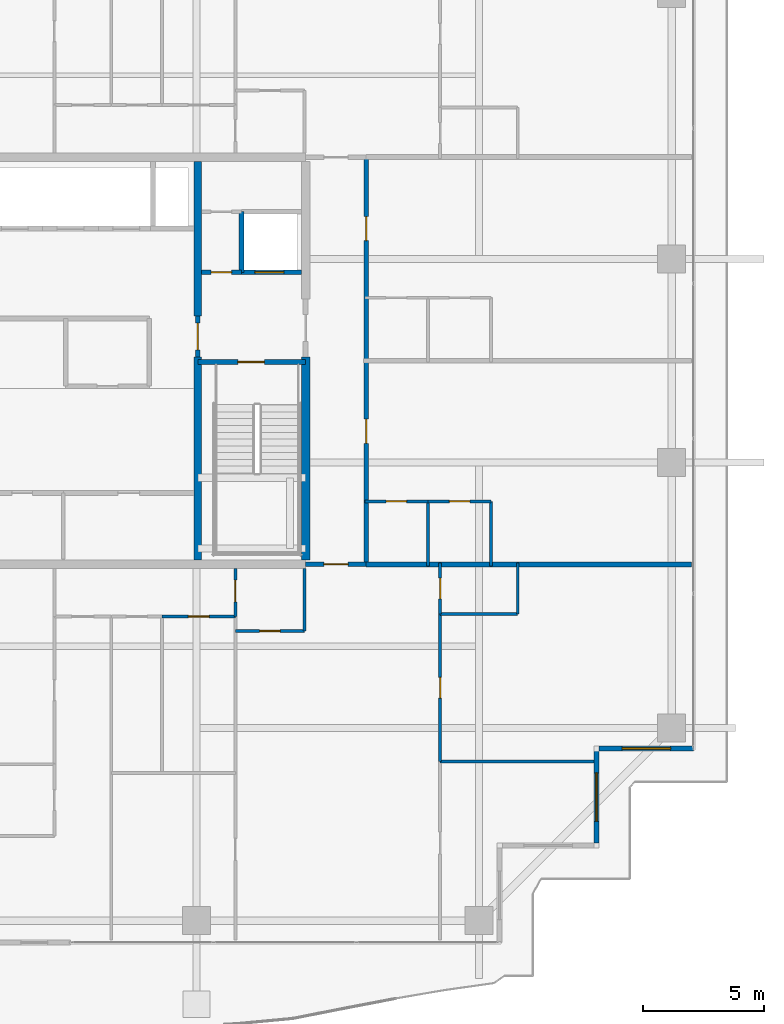
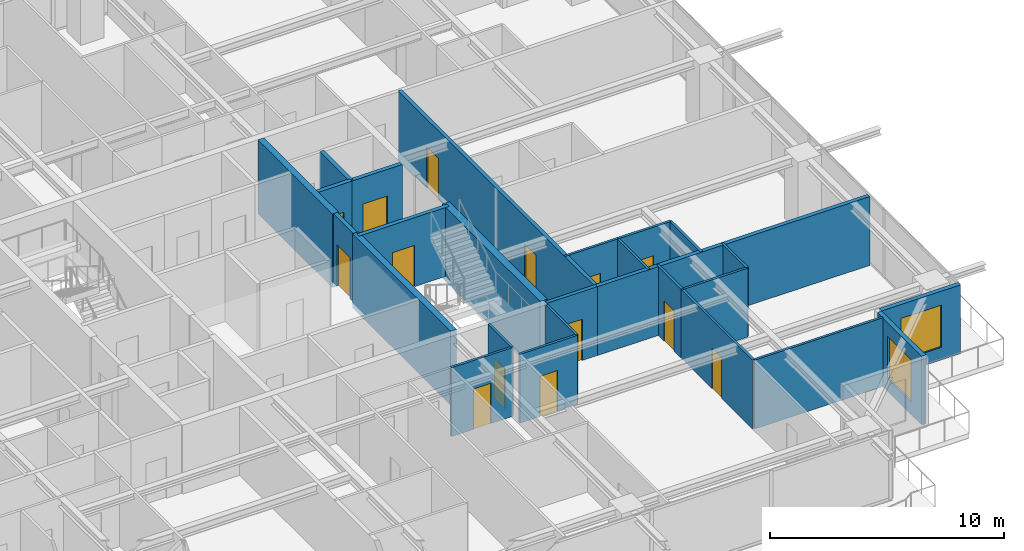
# One storey, part 26 of 38: 26 walls, 14 doors, 2 windows, 16 openings.
"""IFC4 building model written with IfcOpenShell, lengths in metres."""

from ifc_helpers import new_model, si_unit, direction, frame, frame_2d, origin, place, context, subcontext, project, spatial, rectangle, extrude, source, transform, mapped, material, layer, layer_set, type_object, element, fill, save


model = new_model("IFC4")

# Units and contexts
model_context = context("Model", 3, precision=1e-05, world=origin(), true_north=direction((0.0, 1.0)))
body_context = subcontext(model_context, "Body", "Model", "MODEL_VIEW")
ifc_project = project(units=[si_unit("LENGTHUNIT", "METRE"), si_unit("AREAUNIT", "SQUARE_METRE"), si_unit("VOLUMEUNIT", "CUBIC_METRE"), si_unit("PLANEANGLEUNIT", "RADIAN"), si_unit("MASSUNIT", "GRAM", prefix="KILO")], contexts=[model_context])

# Site, building, storey
site_placement = place(None, origin())
site = spatial("IfcSite", under=ifc_project, at=site_placement, CompositionType="ELEMENT")
building_placement = place(site_placement, origin())
building = spatial("IfcBuilding", under=site, at=building_placement, Name="Serunith Strait Residences", CompositionType="ELEMENT")
storey_placement = place(building_placement, frame((0.0, 0.0, 241.25)))
storey = spatial("IfcBuildingStorey", under=building, at=storey_placement, Name="L60", CompositionType="ELEMENT", Elevation=241.25)

# Wall, opening, window
ifc_material_1 = material(Name="Pale-Champagne Aluminium Insulated Panel", Category="aluminium")
ifc_layer_1 = layer(ifc_material_1, 0.219970703125, Name="Pale-Champagne Aluminium Insulated Panel")
ifc_layer_set_1 = layer_set([ifc_layer_1], Name="Pale-Champagne Aluminium Insulated Panel")
wall_type_1 = type_object("IfcWallType", Name="EW-ALUM-220", PredefinedType="ELEMENTEDWALL", material=ifc_layer_set_1)
wall_1_placement = place(storey_placement, frame((53.39990234375, 5.31005859375, 0.0), z_axis=(0.0, 0.0, 1.0), x_axis=(0.0, 1.0, 0.0)))
wall_1 = element("IfcWall", 1, at=wall_1_placement, inside=storey, type_object=wall_type_1, Name="L60 Girih Serrated Corner Wall 04", PredefinedType="ELEMENTEDWALL", context=body_context, shape_type="SweptSolid", body=[
    extrude(rectangle(XDim=3.780029296875, YDim=0.219970703125, at=frame_2d((1.89013671875, 0.0))), origin(), (0.0, 0.0, 1.0), 3.574951171875),
])
opening_1_placement = place(wall_1_placement, frame((0.889892578125, 0.0, 0.64990234375)))
opening_1 = element("IfcOpeningElement", 2, at=opening_1_placement, cuts=wall_1, Name="Opening W-04", PredefinedType="OPENING", context=body_context, shape_type="SweptSolid", body=[
    extrude(rectangle(XDim=2.0, YDim=2.199951171875, at=frame_2d((1.0, 1.10009765625))), frame((0.0, 0.1201171875, 0.0), z_axis=(0.0, -1.0, 0.0), x_axis=(1.0, 0.0, 0.0)), (0.0, 0.0, 1.0), 0.239990234375),
])
ifc_material_2 = material(Name="Ceramic-Fritted Operable Aluminium Window Glass", Category="aluminium")
window_type = type_object("IfcWindowType", Name="WIN-C4", PartitioningType="TRIPLE_PANEL_VERTICAL", PredefinedType="WINDOW", material=ifc_material_2)
shared_shape_1 = source(origin(), body_context, "Body", "SweptSolid", [
    extrude(rectangle(XDim=2.0, YDim=2.199951171875, at=frame_2d((1.0, 1.10009765625))), frame((0.0, 0.030029296875, 0.0), z_axis=(0.0, -1.0, 0.0), x_axis=(1.0, 0.0, 0.0)), (0.0, 0.0, 1.0), 0.06005859375),
])
window_1_placement = place(opening_1_placement, origin())
window_1 = element("IfcWindow", 3, at=window_1_placement, inside=storey, type_object=window_type, Name="L60 Corner Operable Fritted Window 04", OverallHeight=2.199951171875, OverallWidth=2.0, PartitioningType="SINGLE_PANEL", PredefinedType="WINDOW", context=body_context, shape_type="MappedRepresentation", body=[
    mapped(shared_shape_1, transform((0.0, 0.0, 0.0), scale=1.0)),
])
fill(opening_1, window_1)

wall_2_placement = place(storey_placement, frame((53.510009765625, 9.199951171875, 0.0), z_axis=(0.0, 0.0, 1.0), x_axis=(1.0, 0.0, 0.0)))
wall_2 = element("IfcWall", 4, at=wall_2_placement, inside=storey, type_object=wall_type_1, Name="L60 Girih Serrated Corner Wall 05", PredefinedType="ELEMENTEDWALL", context=body_context, shape_type="SweptSolid", body=[
    extrude(rectangle(XDim=3.889892578125, YDim=0.219970703125, at=frame_2d((1.94482421875, 0.0))), origin(), (0.0, 0.0, 1.0), 3.574951171875),
])
opening_2_placement = place(wall_2_placement, frame((0.945068359375, 0.0, 0.64990234375)))
opening_2 = element("IfcOpeningElement", 5, at=opening_2_placement, cuts=wall_2, Name="Opening W-04", PredefinedType="OPENING", context=body_context, shape_type="SweptSolid", body=[
    extrude(rectangle(XDim=2.0, YDim=2.199951171875, at=frame_2d((1.0, 1.10009765625))), frame((0.0, 0.1201171875, 0.0), z_axis=(0.0, -1.0, 0.0), x_axis=(1.0, 0.0, 0.0)), (0.0, 0.0, 1.0), 0.239990234375),
])
window_2_placement = place(opening_2_placement, origin())
window_2 = element("IfcWindow", 6, at=window_2_placement, inside=storey, type_object=window_type, Name="L60 Corner Operable Fritted Window 05", OverallHeight=2.199951171875, OverallWidth=2.0, PartitioningType="SINGLE_PANEL", PredefinedType="WINDOW", context=body_context, shape_type="MappedRepresentation", body=[
    mapped(shared_shape_1, transform((0.0, 0.0, 0.0), scale=1.0)),
])
fill(opening_2, window_2)

# Wall, opening, door
ifc_material_3 = material(Name="Fire-rated acoustic gypsum partition")
ifc_layer_2 = layer(ifc_material_3, 0.179931640625, Name="Fire-rated acoustic gypsum partition")
ifc_layer_set_2 = layer_set([ifc_layer_2], Name="Fire-rated acoustic gypsum partition")
wall_type_2 = type_object("IfcWallType", Name="IW-CORR-180", PredefinedType="PARTITIONING", material=ifc_layer_set_2)
wall_3_placement = place(storey_placement, frame((41.402099609375, 16.800048828125, 0.0), z_axis=(0.0, 0.0, 1.0), x_axis=(1.0, 0.0, 0.0)))
wall_3 = element("IfcWall", 7, at=wall_3_placement, inside=storey, type_object=wall_type_2, Name="L60 Partition Wall 030", PredefinedType="PARTITIONING", context=body_context, shape_type="SweptSolid", body=[
    extrude(rectangle(XDim=2.495849609375, YDim=0.179931640625, at=frame_2d((1.248046875, 0.0))), origin(), (0.0, 0.0, 1.0), 3.590087890625),
])
opening_3_placement = place(wall_3_placement, frame((0.748046875, 0.0, 0.0)))
opening_3 = element("IfcOpeningElement", 8, at=opening_3_placement, cuts=wall_3, Name="Opening D-APT1000", PredefinedType="OPENING", context=body_context, shape_type="SweptSolid", body=[
    extrude(rectangle(XDim=1.0, YDim=2.14990234375, at=frame_2d((0.5, 1.074951171875))), frame((0.0, 0.10009765625, 0.0), z_axis=(0.0, -1.0, 0.0), x_axis=(1.0, 0.0, 0.0)), (0.0, 0.0, 1.0), 0.199951171875),
])
ifc_material_4 = material(Name="Solid timber engineered fire door", Category="wood")
door_type_1 = type_object("IfcDoorType", Name="ID-APT-1000", OperationType="NOTDEFINED", PredefinedType="DOOR", material=ifc_material_4)
shared_shape_2 = source(origin(), body_context, "Body", "SweptSolid", [
    extrude(rectangle(XDim=1.0, YDim=2.14990234375, at=frame_2d((0.5, 1.074951171875))), frame((0.0, 0.02490234375, 0.0), z_axis=(0.0, -1.0, 0.0), x_axis=(1.0, 0.0, 0.0)), (0.0, 0.0, 1.0), 0.050048828125),
])
door_1_placement = place(opening_3_placement, origin())
door_1 = element("IfcDoor", 9, at=door_1_placement, inside=storey, type_object=door_type_1, Name="L60 Unit 02 Entrance Door", OperationType="SINGLE_SWING_LEFT", OverallHeight=2.14990234375, OverallWidth=1.0, PredefinedType="DOOR", context=body_context, shape_type="MappedRepresentation", body=[
    mapped(shared_shape_2, transform((0.0, 0.0, 0.0), scale=1.0)),
])
fill(opening_3, door_1)

# Wall, openings, doors
wall_4_placement = place(storey_placement, frame((43.89990234375, 16.800048828125, 0.0), z_axis=(0.0, 0.0, 1.0), x_axis=(0.0, 1.0, 0.0)))
wall_4 = element("IfcWall", 10, at=wall_4_placement, inside=storey, type_object=wall_type_2, Name="L60 Partition Wall 032", PredefinedType="PARTITIONING", context=body_context, shape_type="SweptSolid", body=[
    extrude(rectangle(XDim=16.800048828125, YDim=0.179931640625, at=frame_2d((8.39990234375, 0.0))), origin(), (0.0, 0.0, 1.0), 3.590087890625),
])
opening_4_placement = place(wall_4_placement, frame((4.992919921875, 0.0, 0.0)))
opening_4 = element("IfcOpeningElement", 11, at=opening_4_placement, cuts=wall_4, Name="Opening D-APT1000", PredefinedType="OPENING", context=body_context, shape_type="SweptSolid", body=[
    extrude(rectangle(XDim=1.0, YDim=2.14990234375, at=frame_2d((0.5, 1.074951171875))), frame((0.0, 0.10009765625, 0.0), z_axis=(0.0, -1.0, 0.0), x_axis=(1.0, 0.0, 0.0)), (0.0, 0.0, 1.0), 0.199951171875),
])
opening_5_placement = place(wall_4_placement, frame((13.35107421875, 0.0, 0.0)))
opening_5 = element("IfcOpeningElement", 12, at=opening_5_placement, cuts=wall_4, Name="Opening D-APT1000", PredefinedType="OPENING", context=body_context, shape_type="SweptSolid", body=[
    extrude(rectangle(XDim=1.0, YDim=2.14990234375, at=frame_2d((0.5, 1.074951171875))), frame((0.0, 0.10009765625, 0.0), z_axis=(0.0, -1.0, 0.0), x_axis=(1.0, 0.0, 0.0)), (0.0, 0.0, 1.0), 0.199951171875),
])
door_2_placement = place(opening_4_placement, origin())
door_2 = element("IfcDoor", 13, at=door_2_placement, inside=storey, type_object=door_type_1, Name="L60 Unit 07 Entrance Door", OperationType="SINGLE_SWING_LEFT", OverallHeight=2.14990234375, OverallWidth=1.0, PredefinedType="DOOR", context=body_context, shape_type="MappedRepresentation", body=[
    mapped(shared_shape_2, transform((0.0, 0.0, 0.0), scale=1.0)),
])
fill(opening_4, door_2)
door_3_placement = place(opening_5_placement, origin())
door_3 = element("IfcDoor", 14, at=door_3_placement, inside=storey, type_object=door_type_1, Name="L60 Unit 08 Entrance Door", OperationType="SINGLE_SWING_RIGHT", OverallHeight=2.14990234375, OverallWidth=1.0, PredefinedType="DOOR", context=body_context, shape_type="MappedRepresentation", body=[
    mapped(shared_shape_2, transform((0.0, 0.0, 0.0), scale=1.0)),
])
fill(opening_5, door_3)

# Wall, opening, door
ifc_material_5 = material(Name="Lightweight steel-stud gypsum partition", Category="steel")
ifc_layer_3 = layer(ifc_material_5, 0.1201171875, Name="Lightweight steel-stud gypsum partition")
ifc_layer_set_3 = layer_set([ifc_layer_3], Name="Lightweight steel-stud gypsum partition")
wall_type_3 = type_object("IfcWallType", Name="IW-PART-120", PredefinedType="PARTITIONING", material=ifc_layer_set_3)
wall_5_placement = place(storey_placement, frame((38.5, 14.050048828125, 0.0), z_axis=(0.0, 0.0, 1.0), x_axis=(1.0, 0.0, 0.0)))
wall_5 = element("IfcWall", 15, at=wall_5_placement, inside=storey, type_object=wall_type_3, Name="L60 Partition Wall 046", PredefinedType="PARTITIONING", context=body_context, shape_type="SweptSolid", body=[
    extrude(rectangle(XDim=2.85009765625, YDim=0.1201171875, at=frame_2d((1.425048828125, 0.0))), origin(), (0.0, 0.0, 1.0), 3.590087890625),
])
opening_6_placement = place(wall_5_placement, frame((1.0, 0.0, 0.0)))
opening_6 = element("IfcOpeningElement", 16, at=opening_6_placement, cuts=wall_5, Name="Opening D-RM850", PredefinedType="OPENING", context=body_context, shape_type="SweptSolid", body=[
    extrude(rectangle(XDim=0.85009765625, YDim=2.10009765625, at=frame_2d((0.425048828125, 1.050048828125))), frame((0.0, 0.070068359375, 0.0), z_axis=(0.0, -1.0, 0.0), x_axis=(1.0, 0.0, 0.0)), (0.0, 0.0, 1.0), 0.14013671875),
])
ifc_material_6 = material(Name="Engineered timber flush study and kitchen door", Category="wood")
door_type_2 = type_object("IfcDoorType", Name="ID-ROOM-850", OperationType="NOTDEFINED", PredefinedType="DOOR", material=ifc_material_6)
shared_shape_3 = source(origin(), body_context, "Body", "SweptSolid", [
    extrude(rectangle(XDim=0.85009765625, YDim=2.10009765625, at=frame_2d((0.425048828125, 1.050048828125))), frame((0.0, 0.02490234375, 0.0), z_axis=(0.0, -1.0, 0.0), x_axis=(1.0, 0.0, 0.0)), (0.0, 0.0, 1.0), 0.050048828125),
])
door_4_placement = place(opening_6_placement, origin())
door_4 = element("IfcDoor", 17, at=door_4_placement, inside=storey, type_object=door_type_2, Name="L60 Kitchen 6002 Door", OperationType="SINGLE_SWING_RIGHT", OverallHeight=2.10009765625, OverallWidth=0.85009765625, PredefinedType="DOOR", context=body_context, shape_type="MappedRepresentation", body=[
    mapped(shared_shape_3, transform((0.0, 0.0, 0.0), scale=1.0)),
])
fill(opening_6, door_4)

# Wall
wall_6_placement = place(storey_placement, frame((41.35009765625, 14.050048828125, 0.0), z_axis=(0.0, 0.0, 1.0), x_axis=(0.0, 1.0, 0.0)))
element("IfcWall", 18, at=wall_6_placement, inside=storey, type_object=wall_type_3, Name="L60 Partition Wall 047", PredefinedType="PARTITIONING", context=body_context, shape_type="SweptSolid", body=[
    extrude(rectangle(XDim=2.574951171875, YDim=0.1201171875, at=frame_2d((1.28759765625, 0.0))), origin(), (0.0, 0.0, 1.0), 3.590087890625),
])

# Wall, opening, door
wall_7_placement = place(storey_placement, frame((38.5, 14.64990234375, 0.0), z_axis=(0.0, 0.0, 1.0), x_axis=(0.0, 1.0, 0.0)))
wall_7 = element("IfcWall", 19, at=wall_7_placement, inside=storey, type_object=wall_type_3, Name="L60 Partition Wall 048", PredefinedType="PARTITIONING", context=body_context, shape_type="SweptSolid", body=[
    extrude(rectangle(XDim=1.97509765625, YDim=0.1201171875, at=frame_2d((0.987548828125, 0.0))), origin(), (0.0, 0.0, 1.0), 3.590087890625),
])
opening_7_placement = place(wall_7_placement, frame((0.60107421875, 0.0, 0.0)))
opening_7 = element("IfcOpeningElement", 20, at=opening_7_placement, cuts=wall_7, Name="Opening D-RM900", PredefinedType="OPENING", context=body_context, shape_type="SweptSolid", body=[
    extrude(rectangle(XDim=0.89990234375, YDim=2.10009765625, at=frame_2d((0.449951171875, 1.050048828125))), frame((0.0, 0.070068359375, 0.0), z_axis=(0.0, -1.0, 0.0), x_axis=(1.0, 0.0, 0.0)), (0.0, 0.0, 1.0), 0.14013671875),
])
ifc_material_7 = material(Name="Engineered timber flush bedroom door", Category="wood")
door_type_3 = type_object("IfcDoorType", Name="ID-ROOM-900", OperationType="NOTDEFINED", PredefinedType="DOOR", material=ifc_material_7)
shared_shape_4 = source(origin(), body_context, "Body", "SweptSolid", [
    extrude(rectangle(XDim=0.89990234375, YDim=2.10009765625, at=frame_2d((0.449951171875, 1.050048828125))), frame((0.0, 0.02490234375, 0.0), z_axis=(0.0, -1.0, 0.0), x_axis=(1.0, 0.0, 0.0)), (0.0, 0.0, 1.0), 0.050048828125),
])
door_5_placement = place(opening_7_placement, origin())
door_5 = element("IfcDoor", 21, at=door_5_placement, inside=storey, type_object=door_type_3, Name="L60 Hall W 6002 Door", OperationType="SINGLE_SWING_LEFT", OverallHeight=2.10009765625, OverallWidth=0.89990234375, PredefinedType="DOOR", context=body_context, shape_type="MappedRepresentation", body=[
    mapped(shared_shape_4, transform((0.0, 0.0, 0.0), scale=1.0)),
])
fill(opening_7, door_5)

wall_8_placement = place(storey_placement, frame((35.48193359375, 14.64990234375, 0.0), z_axis=(0.0, 0.0, 1.0), x_axis=(1.0, 0.0, 0.0)))
wall_8 = element("IfcWall", 22, at=wall_8_placement, inside=storey, type_object=wall_type_3, Name="L60 Partition Wall 055", PredefinedType="PARTITIONING", context=body_context, shape_type="SweptSolid", body=[
    extrude(rectangle(XDim=3.01806640625, YDim=0.1201171875, at=frame_2d((1.509033203125, 0.0))), origin(), (0.0, 0.0, 1.0), 3.590087890625),
])
opening_8_placement = place(wall_8_placement, frame((1.083984375, 0.0, 0.0)))
opening_8 = element("IfcOpeningElement", 23, at=opening_8_placement, cuts=wall_8, Name="Opening D-RM850", PredefinedType="OPENING", context=body_context, shape_type="SweptSolid", body=[
    extrude(rectangle(XDim=0.85009765625, YDim=2.10009765625, at=frame_2d((0.425048828125, 1.050048828125))), frame((0.0, 0.070068359375, 0.0), z_axis=(0.0, -1.0, 0.0), x_axis=(1.0, 0.0, 0.0)), (0.0, 0.0, 1.0), 0.14013671875),
])
door_6_placement = place(opening_8_placement, origin())
door_6 = element("IfcDoor", 24, at=door_6_placement, inside=storey, type_object=door_type_2, Name="L60 Formal Dining Room 6002 Door", OperationType="SINGLE_SWING_RIGHT", OverallHeight=2.10009765625, OverallWidth=0.85009765625, PredefinedType="DOOR", context=body_context, shape_type="MappedRepresentation", body=[
    mapped(shared_shape_3, transform((0.0, 0.0, 0.0), scale=1.0)),
])
fill(opening_8, door_6)

# Walls
wall_9_placement = place(storey_placement, frame((46.949951171875, 8.66796875, 0.0), z_axis=(0.0, 0.0, 1.0), x_axis=(1.0, 0.0, 0.0)))
element("IfcWall", 25, at=wall_9_placement, inside=storey, type_object=wall_type_3, Name="L60 Partition Wall 063", PredefinedType="PARTITIONING", context=body_context, shape_type="SweptSolid", body=[
    extrude(rectangle(XDim=6.35498046875, YDim=0.1201171875, at=frame_2d((3.177490234375, 0.0))), origin(), (0.0, 0.0, 1.0), 3.590087890625),
])
wall_10_placement = place(storey_placement, frame((46.949951171875, 14.75, 0.0), z_axis=(0.0, 0.0, 1.0), x_axis=(1.0, 0.0, 0.0)))
element("IfcWall", 26, at=wall_10_placement, inside=storey, type_object=wall_type_3, Name="L60 Partition Wall 064", PredefinedType="PARTITIONING", context=body_context, shape_type="SweptSolid", body=[
    extrude(rectangle(XDim=3.199951171875, YDim=0.1201171875, at=frame_2d((1.60009765625, 0.0))), origin(), (0.0, 0.0, 1.0), 3.590087890625),
])
wall_11_placement = place(storey_placement, frame((50.14990234375, 14.75, 0.0), z_axis=(0.0, 0.0, 1.0), x_axis=(0.0, 1.0, 0.0)))
element("IfcWall", 27, at=wall_11_placement, inside=storey, type_object=wall_type_3, Name="L60 Partition Wall 065", PredefinedType="PARTITIONING", context=body_context, shape_type="SweptSolid", body=[
    extrude(rectangle(XDim=2.110107421875, YDim=0.1201171875, at=frame_2d((1.05517578125, 0.0))), origin(), (0.0, 0.0, 1.0), 3.590087890625),
])

# Wall, opening, door
wall_12_placement = place(storey_placement, frame((46.949951171875, 8.669921875, 0.0), z_axis=(0.0, 0.0, 1.0), x_axis=(0.0, 1.0, 0.0)))
wall_12 = element("IfcWall", 28, at=wall_12_placement, inside=storey, type_object=wall_type_3, Name="L60 Partition Wall 066", PredefinedType="PARTITIONING", context=body_context, shape_type="SweptSolid", body=[
    extrude(rectangle(XDim=6.080078125, YDim=0.1201171875, at=frame_2d((3.0400390625, 0.0))), origin(), (0.0, 0.0, 1.0), 3.590087890625),
])
opening_9_placement = place(wall_12_placement, frame((2.614990234375, 0.0, 0.0)))
opening_9 = element("IfcOpeningElement", 29, at=opening_9_placement, cuts=wall_12, Name="Opening D-RM850", PredefinedType="OPENING", context=body_context, shape_type="SweptSolid", body=[
    extrude(rectangle(XDim=0.85009765625, YDim=2.10009765625, at=frame_2d((0.425048828125, 1.050048828125))), frame((0.0, 0.070068359375, 0.0), z_axis=(0.0, -1.0, 0.0), x_axis=(1.0, 0.0, 0.0)), (0.0, 0.0, 1.0), 0.14013671875),
])
door_7_placement = place(opening_9_placement, origin())
door_7 = element("IfcDoor", 30, at=door_7_placement, inside=storey, type_object=door_type_2, Name="L60 Walk-in Wardrobe 6002 Door", OperationType="SINGLE_SWING_LEFT", OverallHeight=2.10009765625, OverallWidth=0.85009765625, PredefinedType="DOOR", context=body_context, shape_type="MappedRepresentation", body=[
    mapped(shared_shape_3, transform((0.0, 0.0, 0.0), scale=1.0)),
])
fill(opening_9, door_7)

wall_13_placement = place(storey_placement, frame((46.949951171875, 14.751953125, 0.0), z_axis=(0.0, 0.0, 1.0), x_axis=(0.0, 1.0, 0.0)))
wall_13 = element("IfcWall", 31, at=wall_13_placement, inside=storey, type_object=wall_type_3, Name="L60 Partition Wall 067", PredefinedType="PARTITIONING", context=body_context, shape_type="SweptSolid", body=[
    extrude(rectangle(XDim=2.108154296875, YDim=0.1201171875, at=frame_2d((1.05419921875, 0.0))), origin(), (0.0, 0.0, 1.0), 3.590087890625),
])
opening_10_placement = place(wall_13_placement, frame((0.62890625, 0.0, 0.0)))
opening_10 = element("IfcOpeningElement", 32, at=opening_10_placement, cuts=wall_13, Name="Opening D-BTH850", PredefinedType="OPENING", context=body_context, shape_type="SweptSolid", body=[
    extrude(rectangle(XDim=0.85009765625, YDim=2.10009765625, at=frame_2d((0.425048828125, 1.050048828125))), frame((0.0, 0.070068359375, 0.0), z_axis=(0.0, -1.0, 0.0), x_axis=(1.0, 0.0, 0.0)), (0.0, 0.0, 1.0), 0.14013671875),
])
ifc_material_8 = material(Name="Moisture-resistant timber bathroom door", Category="wood")
door_type_4 = type_object("IfcDoorType", Name="ID-BATH-850", OperationType="NOTDEFINED", PredefinedType="DOOR", material=ifc_material_8)
door_8_placement = place(opening_10_placement, origin())
door_8 = element("IfcDoor", 33, at=door_8_placement, inside=storey, type_object=door_type_4, Name="L60 Bathroom 6002 Door", OperationType="SINGLE_SWING_RIGHT", OverallHeight=2.10009765625, OverallWidth=0.85009765625, PredefinedType="DOOR", context=body_context, shape_type="MappedRepresentation", body=[
    mapped(shared_shape_3, transform((0.0, 0.0, 0.0), scale=1.0)),
])
fill(opening_10, door_8)

wall_14_placement = place(storey_placement, frame((49.050048828125, 19.39990234375, 0.0), z_axis=(0.0, 0.0, 1.0), x_axis=(-1.0, 0.0, 0.0)))
wall_14 = element("IfcWall", 34, at=wall_14_placement, inside=storey, type_object=wall_type_3, Name="L60 Partition Wall 111", PredefinedType="PARTITIONING", context=body_context, shape_type="SweptSolid", body=[
    extrude(rectangle(XDim=2.60009765625, YDim=0.1201171875, at=frame_2d((1.300048828125, 0.0))), origin(), (0.0, 0.0, 1.0), 3.590087890625),
])
opening_11_placement = place(wall_14_placement, frame((0.875, 0.0, 0.0)))
opening_11 = element("IfcOpeningElement", 35, at=opening_11_placement, cuts=wall_14, Name="Opening D-RM850", PredefinedType="OPENING", context=body_context, shape_type="SweptSolid", body=[
    extrude(rectangle(XDim=0.85009765625, YDim=2.10009765625, at=frame_2d((0.425048828125, 1.050048828125))), frame((0.0, 0.070068359375, 0.0), z_axis=(0.0, -1.0, 0.0), x_axis=(1.0, 0.0, 0.0)), (0.0, 0.0, 1.0), 0.14013671875),
])
door_9_placement = place(opening_11_placement, origin())
door_9 = element("IfcDoor", 36, at=door_9_placement, inside=storey, type_object=door_type_2, Name="L60 Kitchen 6007 Door", OperationType="SINGLE_SWING_LEFT", OverallHeight=2.10009765625, OverallWidth=0.85009765625, PredefinedType="DOOR", context=body_context, shape_type="MappedRepresentation", body=[
    mapped(shared_shape_3, transform((0.0, 0.0, 0.0), scale=1.0)),
])
fill(opening_11, door_9)

wall_15_placement = place(storey_placement, frame((46.447998046875, 19.39990234375, 0.0), z_axis=(0.0, 0.0, 1.0), x_axis=(-1.0, 0.0, 0.0)))
wall_15 = element("IfcWall", 37, at=wall_15_placement, inside=storey, type_object=wall_type_3, Name="L60 Partition Wall 112", PredefinedType="PARTITIONING", context=body_context, shape_type="SweptSolid", body=[
    extrude(rectangle(XDim=2.60791015625, YDim=0.1201171875, at=frame_2d((1.303955078125, 0.0))), origin(), (0.0, 0.0, 1.0), 3.590087890625),
])
opening_12_placement = place(wall_15_placement, frame((0.87890625, 0.0, 0.0)))
opening_12 = element("IfcOpeningElement", 38, at=opening_12_placement, cuts=wall_15, Name="Opening D-BTH850", PredefinedType="OPENING", context=body_context, shape_type="SweptSolid", body=[
    extrude(rectangle(XDim=0.85009765625, YDim=2.10009765625, at=frame_2d((0.425048828125, 1.050048828125))), frame((0.0, 0.070068359375, 0.0), z_axis=(0.0, -1.0, 0.0), x_axis=(1.0, 0.0, 0.0)), (0.0, 0.0, 1.0), 0.14013671875),
])
door_10_placement = place(opening_12_placement, origin())
door_10 = element("IfcDoor", 39, at=door_10_placement, inside=storey, type_object=door_type_4, Name="L60 Bathroom 6007 Door", OperationType="SINGLE_SWING_RIGHT", OverallHeight=2.10009765625, OverallWidth=0.85009765625, PredefinedType="DOOR", context=body_context, shape_type="MappedRepresentation", body=[
    mapped(shared_shape_3, transform((0.0, 0.0, 0.0), scale=1.0)),
])
fill(opening_12, door_10)

# Walls
for number, where, z_axis, x_axis, name in (
    (40, (46.449951171875, 16.739990234375, 0.0), (0.0, 0.0, 1.0), (0.0, 1.0, 0.0), "L60 Partition Wall 113"),
    (41, (49.050048828125, 16.739990234375, 0.0), (0.0, 0.0, 1.0), (0.0, 1.0, 0.0), "L60 Partition Wall 114"),
):
    element("IfcWall", number, at=place(storey_placement, frame(where, z_axis=z_axis, x_axis=x_axis)), inside=storey, type_object=wall_type_3, Name=name, PredefinedType="PARTITIONING", context=body_context, shape_type="SweptSolid", body=[
        extrude(rectangle(XDim=2.659912109375, YDim=0.1201171875, at=frame_2d((1.330078125, 0.0))), origin(), (0.0, 0.0, 1.0), 3.590087890625),
    ])
ifc_material_9 = material(Name="Twin-stud acoustic gypsum board partition")
ifc_layer_4 = layer(ifc_material_9, 0.199951171875, Name="Twin-stud acoustic gypsum board partition")
ifc_layer_set_4 = layer_set([ifc_layer_4], Name="Twin-stud acoustic gypsum board partition")
wall_type_4 = type_object("IfcWallType", Name="IW-PARTY-200", PredefinedType="PARTITIONING", material=ifc_layer_set_4)
wall_16_placement = place(storey_placement, frame((43.89990234375, 16.800048828125, 0.0), z_axis=(0.0, 0.0, 1.0), x_axis=(1.0, 0.0, 0.0)))
element("IfcWall", 42, at=wall_16_placement, inside=storey, type_object=wall_type_4, Name="L60 Partition Wall 024", PredefinedType="PARTITIONING", context=body_context, shape_type="SweptSolid", body=[
    extrude(rectangle(XDim=13.418212890625, YDim=0.199951171875, at=frame_2d((6.708984375, 0.0))), origin(), (0.0, 0.0, 1.0), 3.590087890625),
])

# Wall, opening, door
ifc_material_10 = material(Name="Autoclaved aerated concrete blockwork", Category="masonry")
ifc_layer_5 = layer(ifc_material_10, 0.199951171875, Name="Autoclaved aerated concrete blockwork")
ifc_layer_set_5 = layer_set([ifc_layer_5], Name="Autoclaved aerated concrete blockwork")
wall_type_5 = type_object("IfcWallType", Name="IW-SHAFT-200", PredefinedType="STANDARD", material=ifc_layer_set_5)
wall_17_placement = place(storey_placement, frame((36.949951171875, 25.14990234375, 0.0), z_axis=(0.0, 0.0, 1.0), x_axis=(1.0, 0.0, 0.0)))
wall_17 = element("IfcWall", 43, at=wall_17_placement, inside=storey, type_object=wall_type_5, Name="L60 ST-2 North Shaft Wall", PredefinedType="STANDARD", context=body_context, shape_type="SweptSolid", body=[
    extrude(rectangle(XDim=4.449951171875, YDim=0.199951171875, at=frame_2d((2.22509765625, 0.0))), origin(), (0.0, 0.0, 1.0), 3.590087890625),
])
opening_13_placement = place(wall_17_placement, frame((1.64990234375, 0.0, 0.0)))
opening_13 = element("IfcOpeningElement", 44, at=opening_13_placement, cuts=wall_17, Name="Opening FD-1100", PredefinedType="OPENING", context=body_context, shape_type="SweptSolid", body=[
    extrude(rectangle(XDim=1.10009765625, YDim=2.14990234375, at=frame_2d((0.550048828125, 1.074951171875))), frame((0.0, 0.10986328125, 0.0), z_axis=(0.0, -1.0, 0.0), x_axis=(1.0, 0.0, 0.0)), (0.0, 0.0, 1.0), 0.219970703125),
])
ifc_material_11 = material(Name="Galvanised steel fire door leaf", Category="steel")
door_type_5 = type_object("IfcDoorType", Name="FD-STAIR-1100", OperationType="NOTDEFINED", PredefinedType="DOOR", material=ifc_material_11)
shared_shape_5 = source(origin(), body_context, "Body", "SweptSolid", [
    extrude(rectangle(XDim=1.10009765625, YDim=2.14990234375, at=frame_2d((0.550048828125, 1.074951171875))), frame((0.0, 0.02490234375, 0.0), z_axis=(0.0, -1.0, 0.0), x_axis=(1.0, 0.0, 0.0)), (0.0, 0.0, 1.0), 0.050048828125),
])
door_11_placement = place(opening_13_placement, origin())
door_11 = element("IfcDoor", 45, at=door_11_placement, inside=storey, type_object=door_type_5, Name="L60 ST-2 Escape Stair Door", OperationType="SINGLE_SWING_LEFT", OverallHeight=2.14990234375, OverallWidth=1.10009765625, PredefinedType="DOOR", context=body_context, shape_type="MappedRepresentation", body=[
    mapped(shared_shape_5, transform((0.0, 0.0, 0.0), scale=1.0)),
])
fill(opening_13, door_11)

wall_18_placement = place(storey_placement, frame((38.75, 28.85009765625, 0.0), z_axis=(0.0, 0.0, 1.0), x_axis=(1.0, 0.0, 0.0)))
wall_18 = element("IfcWall", 46, at=wall_18_placement, inside=storey, type_object=wall_type_5, Name="L60 FL-2 South Shaft Wall", PredefinedType="STANDARD", context=body_context, shape_type="SweptSolid", body=[
    extrude(rectangle(XDim=2.47509765625, YDim=0.199951171875, at=frame_2d((1.237548828125, 0.0))), origin(), (0.0, 0.0, 1.0), 3.590087890625),
])
opening_14_placement = place(wall_18_placement, frame((0.550048828125, 0.0, 0.0)))
opening_14 = element("IfcOpeningElement", 47, at=opening_14_placement, cuts=wall_18, Name="Opening LD-FF1200", PredefinedType="OPENING", context=body_context, shape_type="SweptSolid", body=[
    extrude(rectangle(XDim=1.199951171875, YDim=2.199951171875, at=frame_2d((0.60009765625, 1.10009765625))), frame((0.0, 0.10986328125, 0.0), z_axis=(0.0, -1.0, 0.0), x_axis=(1.0, 0.0, 0.0)), (0.0, 0.0, 1.0), 0.219970703125),
])
ifc_material_12 = material(Name="Brushed stainless steel landing door", Category="steel")
door_type_6 = type_object("IfcDoorType", Name="LD-FF-1200", OperationType="DOUBLE_DOOR_SLIDING", PredefinedType="DOOR", material=ifc_material_12)
shared_shape_6 = source(origin(), body_context, "Body", "SweptSolid", [
    extrude(rectangle(XDim=1.199951171875, YDim=2.199951171875, at=frame_2d((0.60009765625, 1.10009765625))), frame((0.0, 0.02490234375, 0.0), z_axis=(0.0, -1.0, 0.0), x_axis=(1.0, 0.0, 0.0)), (0.0, 0.0, 1.0), 0.050048828125),
])
door_12_placement = place(opening_14_placement, origin())
door_12 = element("IfcDoor", 48, at=door_12_placement, inside=storey, type_object=door_type_6, Name="L60 FL-2 Landing Door", OperationType="DOUBLE_DOOR_SLIDING", OverallHeight=2.199951171875, OverallWidth=1.199951171875, PredefinedType="DOOR", context=body_context, shape_type="MappedRepresentation", body=[
    mapped(shared_shape_6, transform((0.0, 0.0, 0.0), scale=1.0)),
])
fill(opening_14, door_12)

# Wall
wall_19_placement = place(storey_placement, frame((38.75, 28.85009765625, 0.0), z_axis=(0.0, 0.0, 1.0), x_axis=(0.0, 1.0, 0.0)))
element("IfcWall", 49, at=wall_19_placement, inside=storey, type_object=wall_type_5, Name="L60 Partition Wall 004", PredefinedType="STANDARD", context=body_context, shape_type="SweptSolid", body=[
    extrude(rectangle(XDim=2.5, YDim=0.199951171875, at=frame_2d((1.25, 0.0))), origin(), (0.0, 0.0, 1.0), 3.590087890625),
])

# Wall, opening, door
wall_20_placement = place(storey_placement, frame((37.10009765625, 28.85009765625, 0.0), z_axis=(0.0, 0.0, 1.0), x_axis=(1.0, 0.0, 0.0)))
wall_20 = element("IfcWall", 50, at=wall_20_placement, inside=storey, type_object=wall_type_5, Name="L60 Partition Wall 006", PredefinedType="STANDARD", context=body_context, shape_type="SweptSolid", body=[
    extrude(rectangle(XDim=1.64794921875, YDim=0.199951171875, at=frame_2d((0.823974609375, 0.0))), origin(), (0.0, 0.0, 1.0), 3.590087890625),
])
opening_15_placement = place(wall_20_placement, frame((0.39892578125, 0.0, 0.0)))
opening_15 = element("IfcOpeningElement", 51, at=opening_15_placement, cuts=wall_20, Name="Opening FD-850", PredefinedType="OPENING", context=body_context, shape_type="SweptSolid", body=[
    extrude(rectangle(XDim=0.85009765625, YDim=2.10009765625, at=frame_2d((0.425048828125, 1.050048828125))), frame((0.0, 0.10986328125, 0.0), z_axis=(0.0, -1.0, 0.0), x_axis=(1.0, 0.0, 0.0)), (0.0, 0.0, 1.0), 0.219970703125),
])
ifc_material_13 = material(Name="Powder-coated steel service closet door", Category="steel")
door_type_7 = type_object("IfcDoorType", Name="FD-BOH-850", OperationType="NOTDEFINED", PredefinedType="DOOR", material=ifc_material_13)
door_13_placement = place(opening_15_placement, origin())
door_13 = element("IfcDoor", 52, at=door_13_placement, inside=storey, type_object=door_type_7, Name="L60 North-East Core Service Door", OperationType="SINGLE_SWING_RIGHT", OverallHeight=2.10009765625, OverallWidth=0.85009765625, PredefinedType="DOOR", context=body_context, shape_type="MappedRepresentation", body=[
    mapped(shared_shape_3, transform((0.0, 0.0, 0.0), scale=1.0)),
])
fill(opening_15, door_13)

wall_21_placement = place(storey_placement, frame((36.949951171875, 25.35205078125, 0.0), z_axis=(0.0, 0.0, 1.0), x_axis=(0.0, 1.0, 0.0)))
wall_21 = element("IfcWall", 53, at=wall_21_placement, inside=storey, type_object=wall_type_5, Name="L60 Partition Wall 010", PredefinedType="STANDARD", context=body_context, shape_type="SweptSolid", body=[
    extrude(rectangle(XDim=1.696044921875, YDim=0.199951171875, at=frame_2d((0.84814453125, 0.0))), origin(), (0.0, 0.0, 1.0), 3.590087890625),
])
opening_16_placement = place(wall_21_placement, frame((0.298095703125, 0.0, 0.0)))
opening_16 = element("IfcOpeningElement", 54, at=opening_16_placement, cuts=wall_21, Name="Opening FD-FFL", PredefinedType="OPENING", context=body_context, shape_type="SweptSolid", body=[
    extrude(rectangle(XDim=1.10009765625, YDim=2.14990234375, at=frame_2d((0.550048828125, 1.074951171875))), frame((0.0, 0.10986328125, 0.0), z_axis=(0.0, -1.0, 0.0), x_axis=(1.0, 0.0, 0.0)), (0.0, 0.0, 1.0), 0.219970703125),
])
ifc_material_14 = material(Name="Glazed steel smoke-lobby fire door", Category="steel")
door_type_8 = type_object("IfcDoorType", Name="FD-FFL-1100", OperationType="NOTDEFINED", PredefinedType="DOOR", material=ifc_material_14)
door_14_placement = place(opening_16_placement, origin())
door_14 = element("IfcDoor", 55, at=door_14_placement, inside=storey, type_object=door_type_8, Name="L60 FFL-2 Lift Lobby Door", OperationType="SINGLE_SWING_RIGHT", OverallHeight=2.14990234375, OverallWidth=1.10009765625, PredefinedType="DOOR", context=body_context, shape_type="MappedRepresentation", body=[
    mapped(shared_shape_5, transform((0.0, 0.0, 0.0), scale=1.0)),
])
fill(opening_16, door_14)

# Walls
ifc_material_15 = material(Name="Concrete C60/75", Category="concrete")
ifc_layer_6 = layer(ifc_material_15, 0.300048828125, Name="Concrete C60/75")
ifc_layer_set_6 = layer_set([ifc_layer_6], Name="Concrete C60/75")
wall_type_6 = type_object("IfcWallType", Name="SW-300-C60", PredefinedType="SHEAR", material=ifc_layer_set_6)
wall_22_placement = place(storey_placement, frame((36.949951171875, 16.97509765625, -0.260009765625), z_axis=(0.0, 0.0, 1.0), x_axis=(0.0, 1.0, 0.0)))
element("IfcWall", 56, at=wall_22_placement, inside=storey, type_object=wall_type_6, Name="L60 Core Internal East Web South Pier", PredefinedType="SHEAR", context=body_context, shape_type="SweptSolid", body=[
    extrude(rectangle(XDim=8.375, YDim=0.300048828125, at=frame_2d((4.1875, 0.0))), origin(), (0.0, 0.0, 1.0), 3.847900390625),
])
wall_23_placement = place(storey_placement, frame((36.949951171875, 27.050048828125, -0.260009765625), z_axis=(0.0, 0.0, 1.0), x_axis=(0.0, 1.0, 0.0)))
element("IfcWall", 57, at=wall_23_placement, inside=storey, type_object=wall_type_6, Name="L60 Core Internal East Web North Pier", PredefinedType="SHEAR", context=body_context, shape_type="SweptSolid", body=[
    extrude(rectangle(XDim=6.375, YDim=0.300048828125, at=frame_2d((3.1875, 0.0))), origin(), (0.0, 0.0, 1.0), 3.847900390625),
])
ifc_layer_7 = layer(ifc_material_15, 0.35009765625, Name="Concrete C60/75")
ifc_layer_set_7 = layer_set([ifc_layer_7], Name="Concrete C60/75")
wall_type_7 = type_object("IfcWallType", Name="SW-350-C60", PredefinedType="SHEAR", material=ifc_layer_set_7)
wall_24_placement = place(storey_placement, frame((41.39990234375, 16.97509765625, -0.260009765625), z_axis=(0.0, 0.0, 1.0), x_axis=(0.0, 1.0, 0.0)))
element("IfcWall", 58, at=wall_24_placement, inside=storey, type_object=wall_type_7, Name="L60 Core East Shear Wall South Pier", PredefinedType="SHEAR", context=body_context, shape_type="SweptSolid", body=[
    extrude(rectangle(XDim=8.375, YDim=0.35009765625, at=frame_2d((4.1875, 0.0))), origin(), (0.0, 0.0, 1.0), 3.847900390625),
])

save(model, "model.ifc")
